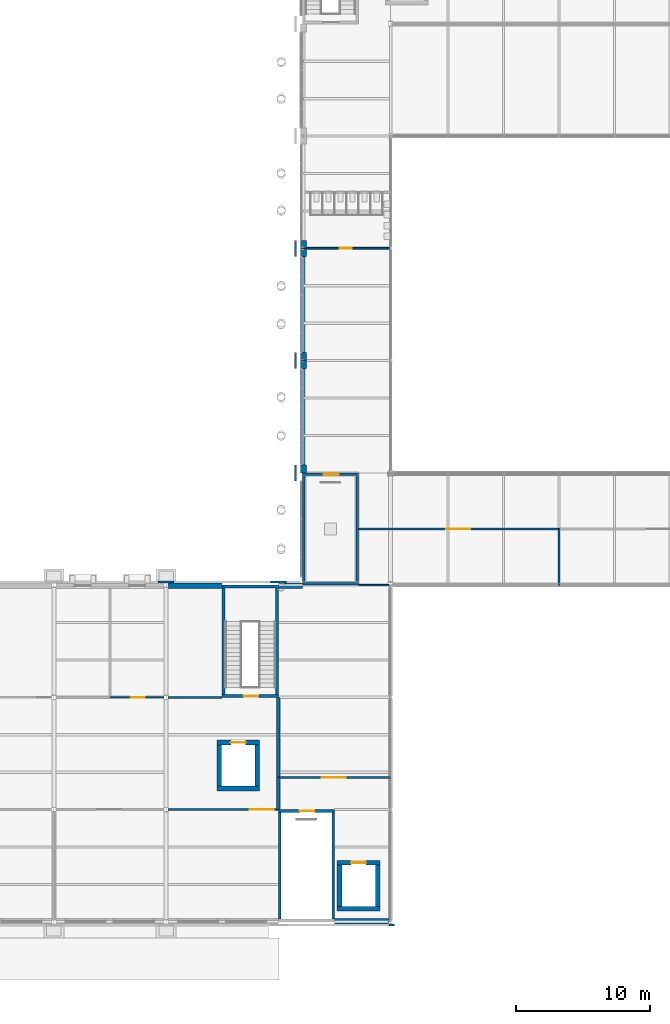
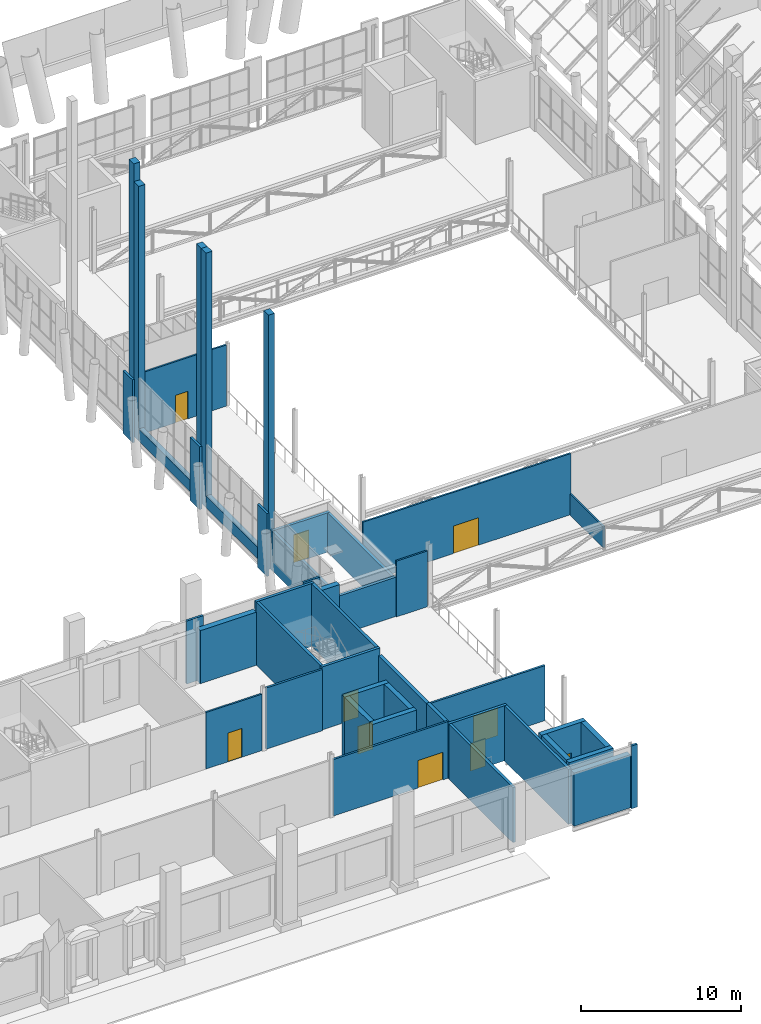
# One storey, part 49 of 76: 45 walls, 10 doors, 10 openings.
"""IFC4 building model written with IfcOpenShell, lengths in metres."""

from ifc_helpers import new_model, si_unit, direction, frame, frame_2d, origin, place, context, subcontext, project, spatial, rectangle, extrude, material, layer, layer_set, type_object, element, fill, save


model = new_model("IFC4")

# Units and contexts
model_context = context("Model", 3, precision=1e-05, world=origin(), true_north=direction((0.0, 1.0)))
body_context = subcontext(model_context, "Body", "Model", "MODEL_VIEW")
ifc_project = project(units=[si_unit("LENGTHUNIT", "METRE"), si_unit("AREAUNIT", "SQUARE_METRE"), si_unit("VOLUMEUNIT", "CUBIC_METRE"), si_unit("PLANEANGLEUNIT", "RADIAN"), si_unit("MASSUNIT", "GRAM", prefix="KILO")], contexts=[model_context])

# Site, building, storey
site_placement = place(None, origin())
site = spatial("IfcSite", under=ifc_project, at=site_placement, CompositionType="ELEMENT")
building_placement = place(site_placement, origin())
building = spatial("IfcBuilding", under=site, at=building_placement, Name="Sava Quay Ferry Terminal", CompositionType="ELEMENT")
storey_placement = place(building_placement, frame((0.0, 0.0, 6.0)))
storey = spatial("IfcBuildingStorey", under=building, at=storey_placement, Name="L01", CompositionType="ELEMENT", Elevation=6.0)

# Walls
ifc_material_1 = material(Name="Concrete C30/37", Category="concrete")
ifc_layer_1 = layer(ifc_material_1, 0.25)
ifc_layer_set_1 = layer_set([ifc_layer_1], Name="Concrete C30/37")
wall_type_1 = type_object("IfcWallType", Name="Compartment wall, reinforced concrete 250", PredefinedType="PARTITIONING", material=ifc_layer_set_1)
wall_1_placement = place(storey_placement, frame((42.0, 33.60009765625, 0.0), z_axis=(0.0, 0.0, 1.0), x_axis=(0.0, 1.0, 0.0)))
element("IfcWall", 1, at=wall_1_placement, inside=storey, type_object=wall_type_1, Name="Compartment wall, reinforced concrete 250", PredefinedType="PARTITIONING", context=body_context, shape_type="SweptSolid", body=[
    extrude(rectangle(XDim=2.39990234375, YDim=0.25, at=frame_2d((1.199951171875, 0.0))), origin(), (0.0, 0.0, 1.0), 4.260009765625),
])
wall_2_placement = place(storey_placement, frame((42.0, 36.0, 0.0), z_axis=(0.0, 0.0, 1.0), x_axis=(0.0, 1.0, 0.0)))
element("IfcWall", 2, at=wall_2_placement, inside=storey, type_object=wall_type_1, Name="Compartment wall, reinforced concrete 250", PredefinedType="PARTITIONING", context=body_context, shape_type="SweptSolid", body=[
    extrude(rectangle(XDim=6.0, YDim=0.25, at=frame_2d((3.0, 0.0))), origin(), (0.0, 0.0, 1.0), 4.25),
])
ifc_material_2 = material(Name="Limestone Mutalj", Category="masonry")
ifc_layer_2 = layer(ifc_material_2, 0.35009765625)
ifc_layer_set_2 = layer_set([ifc_layer_2], Name="Limestone Mutalj")
wall_type_2 = type_object("IfcWallType", Name="Limestone kerb and parapet 350", PredefinedType="SOLIDWALL", material=ifc_layer_set_2)
wall_3_placement = place(storey_placement, frame((43.824951171875, 59.39990234375, 0.0), z_axis=(0.0, 0.0, 1.0), x_axis=(0.0, 1.0, 0.0)))
element("IfcWall", 3, at=wall_3_placement, inside=storey, type_object=wall_type_2, Name="External wall D", PredefinedType="SOLIDWALL", context=body_context, shape_type="SweptSolid", body=[
    extrude(rectangle(XDim=7.2001953125, YDim=0.35009765625, at=frame_2d((3.60009765625, 0.0))), origin(), (0.0, 0.0, 1.0), 0.89990234375),
])
wall_4_placement = place(storey_placement, frame((43.824951171875, 67.800048828125, 0.0), z_axis=(0.0, 0.0, 1.0), x_axis=(0.0, 1.0, 0.0)))
element("IfcWall", 4, at=wall_4_placement, inside=storey, type_object=wall_type_2, Name="External wall D", PredefinedType="SOLIDWALL", context=body_context, shape_type="SweptSolid", body=[
    extrude(rectangle(XDim=7.199951171875, YDim=0.35009765625, at=frame_2d((3.60009765625, 0.0))), origin(), (0.0, 0.0, 1.0), 0.89990234375),
])
ifc_material_3 = material(Name="Limestone Mutalj", Category="masonry")
ifc_layer_3 = layer(ifc_material_3, 0.14990234375)
ifc_layer_set_3 = layer_set([ifc_layer_3], Name="Limestone Mutalj")
wall_type_3 = type_object("IfcWallType", Name="Pier cladding 150", PredefinedType="SOLIDWALL", material=ifc_layer_set_3)
wall_5_placement = place(storey_placement, frame((50.27001953125, 24.965087890625, 0.0), z_axis=(0.0, 0.0, 1.0), x_axis=(1.0, 0.0, 0.0)))
element("IfcWall", 5, at=wall_5_placement, inside=storey, type_object=wall_type_3, Name="Pier W-S grid 50.4", PredefinedType="SOLIDWALL", context=body_context, shape_type="SweptSolid", body=[
    extrude(rectangle(XDim=0.409912109375, YDim=0.14990234375, at=frame_2d((0.205078125, 0.0))), origin(), (0.0, 0.0, 1.0), 4.800048828125),
])
wall_6_placement = place(storey_placement, frame((33.0, 50.635009765625, 0.0), z_axis=(0.0, 0.0, 1.0), x_axis=(1.0, 0.0, 0.0)))
element("IfcWall", 6, at=wall_6_placement, inside=storey, type_object=wall_type_3, Name="Pier W-N grid 33.6", PredefinedType="SOLIDWALL", context=body_context, shape_type="SweptSolid", body=[
    extrude(rectangle(XDim=1.199951171875, YDim=0.14990234375, at=frame_2d((0.60009765625, 0.0))), origin(), (0.0, 0.0, 1.0), 4.800048828125),
])
wall_7_placement = place(storey_placement, frame((41.39990234375, 50.635009765625, 0.0), z_axis=(0.0, 0.0, 1.0), x_axis=(1.0, 0.0, 0.0)))
element("IfcWall", 7, at=wall_7_placement, inside=storey, type_object=wall_type_3, Name="Pier W-N grid 42", PredefinedType="SOLIDWALL", context=body_context, shape_type="SweptSolid", body=[
    extrude(rectangle(XDim=1.2001953125, YDim=0.14990234375, at=frame_2d((0.60009765625, 0.0))), origin(), (0.0, 0.0, 1.0), 4.800048828125),
])
for number, where, z_axis, x_axis, name in (
    (8, (43.27490234375, 58.199951171875, 0.0), (0.0, 0.0, 1.0), (0.0, 1.0, 0.0), "External wall D"),
    (9, (43.27490234375, 66.60009765625, 0.0), (0.0, 0.0, 1.0), (0.0, 1.0, 0.0), "External wall D"),
    (10, (43.27490234375, 75.0, 0.0), (0.0, 0.0, 1.0), (0.0, 1.0, 0.0), "External wall D"),
):
    element("IfcWall", number, at=place(storey_placement, frame(where, z_axis=z_axis, x_axis=x_axis)), inside=storey, type_object=wall_type_3, Name=name, PredefinedType="SOLIDWALL", context=body_context, shape_type="SweptSolid", body=[
        extrude(rectangle(XDim=1.199951171875, YDim=0.14990234375, at=frame_2d((0.60009765625, 0.0))), origin(), (0.0, 0.0, 1.0), 4.800048828125),
    ])

# Wall, opening, door
ifc_material_4 = material(Name="Masonry blockwork", Category="masonry")
ifc_layer_4 = layer(ifc_material_4, 0.14990234375)
ifc_layer_set_4 = layer_set([ifc_layer_4], Name="Masonry blockwork")
wall_type_4 = type_object("IfcWallType", Name="Plant, store and lobby wall, blockwork 150", PredefinedType="PARTITIONING", material=ifc_layer_set_4)
wall_8_placement = place(storey_placement, frame((42.0, 36.0, 0.0), z_axis=(0.0, 0.0, 1.0), x_axis=(1.0, 0.0, 0.0)))
wall_8 = element("IfcWall", 11, at=wall_8_placement, inside=storey, type_object=wall_type_4, Name="Plant, store and lobby wall, blockwork 150", PredefinedType="PARTITIONING", context=body_context, shape_type="SweptSolid", body=[
    extrude(rectangle(XDim=8.39990234375, YDim=0.14990234375, at=frame_2d((4.199951171875, 0.0))), origin(), (0.0, 0.0, 1.0), 4.199951171875),
])
opening_1_placement = place(wall_8_placement, frame((3.25, 0.0, 0.0)))
opening_1 = element("IfcOpeningElement", 12, at=opening_1_placement, cuts=wall_8, Name="Opening D0101", PredefinedType="OPENING", context=body_context, shape_type="SweptSolid", body=[
    extrude(rectangle(XDim=1.800048828125, YDim=2.10009765625, at=frame_2d((0.89990234375, 1.050048828125))), frame((0.0, 0.074951171875, 0.0), z_axis=(0.0, -1.0, 0.0), x_axis=(1.0, 0.0, 0.0)), (0.0, 0.0, 1.0), 0.14990234375),
])
ifc_material_5 = material(Name="Timber door set", Category="wood")
door_type_1 = type_object("IfcDoorType", Name="Double door 1800 x 2100", OperationType="NOTDEFINED", PredefinedType="DOOR", material=ifc_material_5)
door_1_placement = place(opening_1_placement, origin())
door_1 = element("IfcDoor", 13, at=door_1_placement, inside=storey, type_object=door_type_1, Name="Door D0101", OperationType="DOUBLE_DOOR_DOUBLE_SWING", OverallHeight=2.10009765625, OverallWidth=1.800048828125, PredefinedType="DOOR", context=body_context, shape_type="SweptSolid", body=[
    extrude(rectangle(XDim=1.800048828125, YDim=2.10009765625, at=frame_2d((0.89990234375, 1.050048828125))), frame((0.0, 0.02490234375, 0.0), z_axis=(0.0, -1.0, 0.0), x_axis=(1.0, 0.0, 0.0)), (0.0, 0.0, 1.0), 0.050048828125),
])
fill(opening_1, door_1)

wall_9_placement = place(storey_placement, frame((33.75, 33.60009765625, 0.0), z_axis=(0.0, 0.0, 1.0), x_axis=(1.0, 0.0, 0.0)))
wall_9 = element("IfcWall", 14, at=wall_9_placement, inside=storey, type_object=wall_type_4, Name="Plant, store and lobby wall, blockwork 150", PredefinedType="PARTITIONING", context=body_context, shape_type="SweptSolid", body=[
    extrude(rectangle(XDim=8.25, YDim=0.14990234375, at=frame_2d((4.125, 0.0))), origin(), (0.0, 0.0, 1.0), 4.31005859375),
])
opening_2_placement = place(wall_9_placement, frame((6.10009765625, 0.0, 0.0)))
opening_2 = element("IfcOpeningElement", 15, at=opening_2_placement, cuts=wall_9, Name="Opening D0106", PredefinedType="OPENING", context=body_context, shape_type="SweptSolid", body=[
    extrude(rectangle(XDim=1.800048828125, YDim=2.10009765625, at=frame_2d((0.89990234375, 1.050048828125))), frame((0.0, 0.074951171875, 0.0), z_axis=(0.0, -1.0, 0.0), x_axis=(1.0, 0.0, 0.0)), (0.0, 0.0, 1.0), 0.14990234375),
])
door_2_placement = place(opening_2_placement, origin())
door_2 = element("IfcDoor", 16, at=door_2_placement, inside=storey, type_object=door_type_1, Name="Door D0106", OperationType="DOUBLE_DOOR_DOUBLE_SWING", OverallHeight=2.10009765625, OverallWidth=1.800048828125, PredefinedType="DOOR", context=body_context, shape_type="SweptSolid", body=[
    extrude(rectangle(XDim=1.800048828125, YDim=2.10009765625, at=frame_2d((0.89990234375, 1.050048828125))), frame((0.0, 0.02490234375, 0.0), z_axis=(0.0, -1.0, 0.0), x_axis=(1.0, 0.0, 0.0)), (0.0, 0.0, 1.0), 0.050048828125),
])
fill(opening_2, door_2)

# Wall
wall_10_placement = place(storey_placement, frame((33.75, 42.0, 0.0), z_axis=(0.0, 0.0, 1.0), x_axis=(1.0, 0.0, 0.0)))
element("IfcWall", 17, at=wall_10_placement, inside=storey, type_object=wall_type_4, Name="Plant, store and lobby wall, blockwork 150", PredefinedType="PARTITIONING", context=body_context, shape_type="SweptSolid", body=[
    extrude(rectangle(XDim=4.050048828125, YDim=0.14990234375, at=frame_2d((2.02490234375, 0.0))), origin(), (0.0, 0.0, 1.0), 4.669921875),
])

# Wall, opening, door
ifc_material_6 = material(Name="Concrete C35/45", Category="concrete")
ifc_layer_5 = layer(ifc_material_6, 0.199951171875)
ifc_layer_set_5 = layer_set([ifc_layer_5], Name="Concrete C35/45")
wall_type_5 = type_object("IfcWallType", Name="RC core wall 200", PredefinedType="SHEAR", material=ifc_layer_set_5)
wall_11_placement = place(storey_placement, frame((42.0, 33.5, 0.0), z_axis=(0.0, 0.0, 1.0), x_axis=(1.0, 0.0, 0.0)))
wall_11 = element("IfcWall", 18, at=wall_11_placement, inside=storey, type_object=wall_type_5, Name="Core wall ST-A1 N L01", PredefinedType="SHEAR", context=body_context, shape_type="SweptSolid", body=[
    extrude(rectangle(XDim=4.199951171875, YDim=0.199951171875, at=frame_2d((2.10009765625, 0.0))), origin(), (0.0, 0.0, 1.0), 4.199951171875),
])
opening_3_placement = place(wall_11_placement, frame((1.60009765625, 0.0, 0.0)))
opening_3 = element("IfcOpeningElement", 19, at=opening_3_placement, cuts=wall_11, Name="Opening DS0101", PredefinedType="OPENING", context=body_context, shape_type="SweptSolid", body=[
    extrude(rectangle(XDim=1.10009765625, YDim=2.10009765625, at=frame_2d((0.550048828125, 1.050048828125))), frame((0.0, 0.10009765625, 0.0), z_axis=(0.0, -1.0, 0.0), x_axis=(1.0, 0.0, 0.0)), (0.0, 0.0, 1.0), 0.199951171875),
])
ifc_material_7 = material(Name="Steel fire door set", Category="steel")
door_type_2 = type_object("IfcDoorType", Name="Stair fire door 1100 x 2100", OperationType="NOTDEFINED", PredefinedType="DOOR", material=ifc_material_7)
door_3_placement = place(opening_3_placement, origin())
door_3 = element("IfcDoor", 20, at=door_3_placement, inside=storey, type_object=door_type_2, Name="Door DS0101", OperationType="SINGLE_SWING_RIGHT", OverallHeight=2.10009765625, OverallWidth=1.10009765625, PredefinedType="DOOR", context=body_context, shape_type="SweptSolid", body=[
    extrude(rectangle(XDim=1.10009765625, YDim=2.10009765625, at=frame_2d((0.550048828125, 1.050048828125))), frame((0.0, 0.02490234375, 0.0), z_axis=(0.0, -1.0, 0.0), x_axis=(1.0, 0.0, 0.0)), (0.0, 0.0, 1.0), 0.050048828125),
])
fill(opening_3, door_3)

# Walls
for number, where, z_axis, x_axis, name in (
    (21, (42.10009765625, 25.39990234375, 0.0), (0.0, 0.0, 1.0), (0.0, 1.0, 0.0), "Core wall ST-A1 W L01"),
    (22, (46.10009765625, 25.39990234375, 0.0), (0.0, 0.0, 1.0), (0.0, 1.0, 0.0), "Core wall ST-A1 E L01"),
):
    element("IfcWall", number, at=place(storey_placement, frame(where, z_axis=z_axis, x_axis=x_axis)), inside=storey, type_object=wall_type_5, Name=name, PredefinedType="SHEAR", context=body_context, shape_type="SweptSolid", body=[
        extrude(rectangle(XDim=8.0, YDim=0.199951171875, at=frame_2d((4.0, 0.0))), origin(), (0.0, 0.0, 1.0), 4.199951171875),
    ])
wall_12_placement = place(storey_placement, frame((43.800048828125, 50.5, 0.0), z_axis=(0.0, 0.0, 1.0), x_axis=(1.0, 0.0, 0.0)))
element("IfcWall", 23, at=wall_12_placement, inside=storey, type_object=wall_type_5, Name="Core wall ST-D1 S L01", PredefinedType="SHEAR", context=body_context, shape_type="SweptSolid", body=[
    extrude(rectangle(XDim=4.199951171875, YDim=0.199951171875, at=frame_2d((2.10009765625, 0.0))), origin(), (0.0, 0.0, 1.0), 3.0),
])

# Wall, opening, door
wall_13_placement = place(storey_placement, frame((43.800048828125, 58.699951171875, 0.0), z_axis=(0.0, 0.0, 1.0), x_axis=(1.0, 0.0, 0.0)))
wall_13 = element("IfcWall", 24, at=wall_13_placement, inside=storey, type_object=wall_type_5, Name="Core wall ST-D1 N L01", PredefinedType="SHEAR", context=body_context, shape_type="SweptSolid", body=[
    extrude(rectangle(XDim=4.199951171875, YDim=0.199951171875, at=frame_2d((2.10009765625, 0.0))), origin(), (0.0, 0.0, 1.0), 3.0),
])
opening_4_placement = place(wall_13_placement, frame((1.60009765625, 0.0, 0.0)))
opening_4 = element("IfcOpeningElement", 25, at=opening_4_placement, cuts=wall_13, Name="Opening DS0106", PredefinedType="OPENING", context=body_context, shape_type="SweptSolid", body=[
    extrude(rectangle(XDim=1.10009765625, YDim=2.10009765625, at=frame_2d((0.550048828125, 1.050048828125))), frame((0.0, 0.10009765625, 0.0), z_axis=(0.0, -1.0, 0.0), x_axis=(1.0, 0.0, 0.0)), (0.0, 0.0, 1.0), 0.199951171875),
])
door_4_placement = place(opening_4_placement, origin())
door_4 = element("IfcDoor", 26, at=door_4_placement, inside=storey, type_object=door_type_2, Name="Door DS0106", OperationType="SINGLE_SWING_RIGHT", OverallHeight=2.10009765625, OverallWidth=1.10009765625, PredefinedType="DOOR", context=body_context, shape_type="SweptSolid", body=[
    extrude(rectangle(XDim=1.10009765625, YDim=2.10009765625, at=frame_2d((0.550048828125, 1.050048828125))), frame((0.0, 0.02490234375, 0.0), z_axis=(0.0, -1.0, 0.0), x_axis=(1.0, 0.0, 0.0)), (0.0, 0.0, 1.0), 0.050048828125),
])
fill(opening_4, door_4)

# Walls
for number, where, z_axis, x_axis, name in (
    (27, (43.89990234375, 50.60009765625, 0.0), (0.0, 0.0, 1.0), (0.0, 1.0, 0.0), "Core wall ST-D1 W L01"),
    (28, (47.89990234375, 50.60009765625, 0.0), (0.0, 0.0, 1.0), (0.0, 1.0, 0.0), "Core wall ST-D1 E L01"),
):
    element("IfcWall", number, at=place(storey_placement, frame(where, z_axis=z_axis, x_axis=x_axis)), inside=storey, type_object=wall_type_5, Name=name, PredefinedType="SHEAR", context=body_context, shape_type="SweptSolid", body=[
        extrude(rectangle(XDim=8.0, YDim=0.199951171875, at=frame_2d((4.0, 0.0))), origin(), (0.0, 0.0, 1.0), 3.0),
    ])

# Wall, opening, door
wall_14_placement = place(storey_placement, frame((37.800048828125, 42.10009765625, 0.0), z_axis=(0.0, 0.0, 1.0), x_axis=(1.0, 0.0, 0.0)))
wall_14 = element("IfcWall", 29, at=wall_14_placement, inside=storey, type_object=wall_type_5, Name="Core wall ST-W2 S L01", PredefinedType="SHEAR", context=body_context, shape_type="SweptSolid", body=[
    extrude(rectangle(XDim=4.199951171875, YDim=0.199951171875, at=frame_2d((2.10009765625, 0.0))), origin(), (0.0, 0.0, 1.0), 4.800048828125),
])
opening_5_placement = place(wall_14_placement, frame((1.60009765625, 0.0, 0.0)))
opening_5 = element("IfcOpeningElement", 30, at=opening_5_placement, cuts=wall_14, Name="Opening DS0105", PredefinedType="OPENING", context=body_context, shape_type="SweptSolid", body=[
    extrude(rectangle(XDim=1.10009765625, YDim=2.10009765625, at=frame_2d((0.550048828125, 1.050048828125))), frame((0.0, 0.10009765625, 0.0), z_axis=(0.0, -1.0, 0.0), x_axis=(1.0, 0.0, 0.0)), (0.0, 0.0, 1.0), 0.199951171875),
])
door_5_placement = place(opening_5_placement, origin())
door_5 = element("IfcDoor", 31, at=door_5_placement, inside=storey, type_object=door_type_2, Name="Door DS0105", OperationType="SINGLE_SWING_RIGHT", OverallHeight=2.10009765625, OverallWidth=1.10009765625, PredefinedType="DOOR", context=body_context, shape_type="SweptSolid", body=[
    extrude(rectangle(XDim=1.10009765625, YDim=2.10009765625, at=frame_2d((0.550048828125, 1.050048828125))), frame((0.0, 0.02490234375, 0.0), z_axis=(0.0, -1.0, 0.0), x_axis=(1.0, 0.0, 0.0)), (0.0, 0.0, 1.0), 0.050048828125),
])
fill(opening_5, door_5)

# Walls
wall_15_placement = place(storey_placement, frame((37.800048828125, 50.300048828125, 0.0), z_axis=(0.0, 0.0, 1.0), x_axis=(1.0, 0.0, 0.0)))
element("IfcWall", 32, at=wall_15_placement, inside=storey, type_object=wall_type_5, Name="Core wall ST-W2 N L01", PredefinedType="SHEAR", context=body_context, shape_type="SweptSolid", body=[
    extrude(rectangle(XDim=4.199951171875, YDim=0.199951171875, at=frame_2d((2.10009765625, 0.0))), origin(), (0.0, 0.0, 1.0), 4.800048828125),
])
for number, where, z_axis, x_axis, name in (
    (33, (37.89990234375, 42.199951171875, 0.0), (0.0, 0.0, 1.0), (0.0, 1.0, 0.0), "Core wall ST-W2 W L01"),
    (34, (41.89990234375, 42.199951171875, 0.0), (0.0, 0.0, 1.0), (0.0, 1.0, 0.0), "Core wall ST-W2 E L01"),
):
    element("IfcWall", number, at=place(storey_placement, frame(where, z_axis=z_axis, x_axis=x_axis)), inside=storey, type_object=wall_type_5, Name=name, PredefinedType="SHEAR", context=body_context, shape_type="SweptSolid", body=[
        extrude(rectangle(XDim=8.0, YDim=0.199951171875, at=frame_2d((4.0, 0.0))), origin(), (0.0, 0.0, 1.0), 4.800048828125),
    ])
ifc_material_8 = material(Name="Concrete C35/45", Category="concrete")
ifc_layer_6 = layer(ifc_material_8, 0.35009765625)
ifc_layer_set_6 = layer_set([ifc_layer_6], Name="Concrete C35/45")
wall_type_6 = type_object("IfcWallType", Name="RC core wall 350", PredefinedType="SHEAR", material=ifc_layer_set_6)
wall_16_placement = place(storey_placement, frame((46.39990234375, 26.175048828125, 0.0), z_axis=(0.0, 0.0, 1.0), x_axis=(1.0, 0.0, 0.0)))
element("IfcWall", 35, at=wall_16_placement, inside=storey, type_object=wall_type_6, Name="Core wall LF-A1 S L01", PredefinedType="SHEAR", context=body_context, shape_type="SweptSolid", body=[
    extrude(rectangle(XDim=3.2001953125, YDim=0.35009765625, at=frame_2d((1.60009765625, 0.0))), origin(), (0.0, 0.0, 1.0), 4.199951171875),
])

# Wall, opening, door
wall_17_placement = place(storey_placement, frame((46.39990234375, 29.625, 0.0), z_axis=(0.0, 0.0, 1.0), x_axis=(1.0, 0.0, 0.0)))
wall_17 = element("IfcWall", 36, at=wall_17_placement, inside=storey, type_object=wall_type_6, Name="Core wall LF-A1 N L01", PredefinedType="SHEAR", context=body_context, shape_type="SweptSolid", body=[
    extrude(rectangle(XDim=3.2001953125, YDim=0.35009765625, at=frame_2d((1.60009765625, 0.0))), origin(), (0.0, 0.0, 1.0), 4.199951171875),
])
opening_6_placement = place(wall_17_placement, frame((1.050048828125, 0.0, 0.0)))
opening_6 = element("IfcOpeningElement", 37, at=opening_6_placement, cuts=wall_17, Name="Opening LD0101", PredefinedType="OPENING", context=body_context, shape_type="SweptSolid", body=[
    extrude(rectangle(XDim=1.10009765625, YDim=2.10009765625, at=frame_2d((0.550048828125, 1.050048828125))), frame((0.0, 0.175048828125, 0.0), z_axis=(0.0, -1.0, 0.0), x_axis=(1.0, 0.0, 0.0)), (0.0, 0.0, 1.0), 0.35009765625),
])
ifc_material_9 = material(Name="Stainless steel", Category="steel")
door_type_3 = type_object("IfcDoorType", Name="Lift landing door 1100 x 2100", OperationType="NOTDEFINED", PredefinedType="DOOR", material=ifc_material_9)
door_6_placement = place(opening_6_placement, origin())
door_6 = element("IfcDoor", 38, at=door_6_placement, inside=storey, type_object=door_type_3, Name="Door LD0101", OperationType="SLIDING_TO_LEFT", OverallHeight=2.10009765625, OverallWidth=1.10009765625, PredefinedType="DOOR", context=body_context, shape_type="SweptSolid", body=[
    extrude(rectangle(XDim=1.10009765625, YDim=2.10009765625, at=frame_2d((0.550048828125, 1.050048828125))), frame((0.0, 0.02490234375, 0.0), z_axis=(0.0, -1.0, 0.0), x_axis=(1.0, 0.0, 0.0)), (0.0, 0.0, 1.0), 0.050048828125),
])
fill(opening_6, door_6)

# Walls
for number, where, z_axis, x_axis, name in (
    (39, (46.574951171875, 26.35009765625, 0.0), (0.0, 0.0, 1.0), (0.0, 1.0, 0.0), "Core wall LF-A1 W L01"),
    (40, (49.425048828125, 26.35009765625, 0.0), (0.0, 0.0, 1.0), (0.0, 1.0, 0.0), "Core wall LF-A1 E L01"),
):
    element("IfcWall", number, at=place(storey_placement, frame(where, z_axis=z_axis, x_axis=x_axis)), inside=storey, type_object=wall_type_6, Name=name, PredefinedType="SHEAR", context=body_context, shape_type="SweptSolid", body=[
        extrude(rectangle(XDim=3.099853515625, YDim=0.35009765625, at=frame_2d((1.5498046875, 0.0))), origin(), (0.0, 0.0, 1.0), 4.199951171875),
    ])
wall_18_placement = place(storey_placement, frame((37.39990234375, 35.175048828125, 0.0), z_axis=(0.0, 0.0, 1.0), x_axis=(1.0, 0.0, 0.0)))
element("IfcWall", 41, at=wall_18_placement, inside=storey, type_object=wall_type_6, Name="Core wall LF-W2 S L01", PredefinedType="SHEAR", context=body_context, shape_type="SweptSolid", body=[
    extrude(rectangle(XDim=3.2001953125, YDim=0.35009765625, at=frame_2d((1.60009765625, 0.0))), origin(), (0.0, 0.0, 1.0), 4.800048828125),
])

# Wall, opening, door
wall_19_placement = place(storey_placement, frame((37.39990234375, 38.625, 0.0), z_axis=(0.0, 0.0, 1.0), x_axis=(1.0, 0.0, 0.0)))
wall_19 = element("IfcWall", 42, at=wall_19_placement, inside=storey, type_object=wall_type_6, Name="Core wall LF-W2 N L01", PredefinedType="SHEAR", context=body_context, shape_type="SweptSolid", body=[
    extrude(rectangle(XDim=3.2001953125, YDim=0.35009765625, at=frame_2d((1.60009765625, 0.0))), origin(), (0.0, 0.0, 1.0), 4.800048828125),
])
opening_7_placement = place(wall_19_placement, frame((1.050048828125, 0.0, 0.0)))
opening_7 = element("IfcOpeningElement", 43, at=opening_7_placement, cuts=wall_19, Name="Opening LD0104", PredefinedType="OPENING", context=body_context, shape_type="SweptSolid", body=[
    extrude(rectangle(XDim=1.10009765625, YDim=2.10009765625, at=frame_2d((0.550048828125, 1.050048828125))), frame((0.0, 0.175048828125, 0.0), z_axis=(0.0, -1.0, 0.0), x_axis=(1.0, 0.0, 0.0)), (0.0, 0.0, 1.0), 0.35009765625),
])
door_7_placement = place(opening_7_placement, origin())
door_7 = element("IfcDoor", 44, at=door_7_placement, inside=storey, type_object=door_type_3, Name="Door LD0104", OperationType="SLIDING_TO_RIGHT", OverallHeight=2.10009765625, OverallWidth=1.10009765625, PredefinedType="DOOR", context=body_context, shape_type="SweptSolid", body=[
    extrude(rectangle(XDim=1.10009765625, YDim=2.10009765625, at=frame_2d((0.550048828125, 1.050048828125))), frame((0.0, 0.02490234375, 0.0), z_axis=(0.0, -1.0, 0.0), x_axis=(1.0, 0.0, 0.0)), (0.0, 0.0, 1.0), 0.050048828125),
])
fill(opening_7, door_7)

# Walls
for number, where, z_axis, x_axis, name in (
    (45, (37.574951171875, 35.35009765625, 0.0), (0.0, 0.0, 1.0), (0.0, 1.0, 0.0), "Core wall LF-W2 W L01"),
    (46, (40.425048828125, 35.35009765625, 0.0), (0.0, 0.0, 1.0), (0.0, 1.0, 0.0), "Core wall LF-W2 E L01"),
):
    element("IfcWall", number, at=place(storey_placement, frame(where, z_axis=z_axis, x_axis=x_axis)), inside=storey, type_object=wall_type_6, Name=name, PredefinedType="SHEAR", context=body_context, shape_type="SweptSolid", body=[
        extrude(rectangle(XDim=3.099853515625, YDim=0.35009765625, at=frame_2d((1.5498046875, 0.0))), origin(), (0.0, 0.0, 1.0), 4.800048828125),
    ])
ifc_material_10 = material(Name="Plasterboard on steel studs", Category="steel")
ifc_layer_7 = layer(ifc_material_10, 0.125)
ifc_layer_set_7 = layer_set([ifc_layer_7], Name="Plasterboard on steel studs")
wall_type_7 = type_object("IfcWallType", Name="Room partition, plasterboard on steel studs 125", PredefinedType="PARTITIONING", material=ifc_layer_set_7)
wall_20_placement = place(storey_placement, frame((48.0, 50.39990234375, 0.0), z_axis=(0.0, 0.0, 1.0), x_axis=(1.0, 0.0, 0.0)))
element("IfcWall", 47, at=wall_20_placement, inside=storey, type_object=wall_type_7, Name="Room partition, plasterboard on steel studs 125", PredefinedType="PARTITIONING", context=body_context, shape_type="SweptSolid", body=[
    extrude(rectangle(XDim=2.25, YDim=0.125, at=frame_2d((1.125, 0.0))), origin(), (0.0, 0.0, 1.0), 4.25),
])

# Wall, opening, door
wall_21_placement = place(storey_placement, frame((29.39990234375, 42.0, 0.0), z_axis=(0.0, 0.0, 1.0), x_axis=(1.0, 0.0, 0.0)))
wall_21 = element("IfcWall", 48, at=wall_21_placement, inside=storey, type_object=wall_type_7, Name="Room partition, plasterboard on steel studs 125", PredefinedType="PARTITIONING", context=body_context, shape_type="SweptSolid", body=[
    extrude(rectangle(XDim=4.050048828125, YDim=0.125, at=frame_2d((2.02490234375, 0.0))), origin(), (0.0, 0.0, 1.0), 4.31005859375),
])
opening_8_placement = place(wall_21_placement, frame((1.60009765625, 0.0, 0.0)))
opening_8 = element("IfcOpeningElement", 49, at=opening_8_placement, cuts=wall_21, Name="Opening D0111", PredefinedType="OPENING", context=body_context, shape_type="SweptSolid", body=[
    extrude(rectangle(XDim=1.0, YDim=2.199951171875, at=frame_2d((0.5, 1.10009765625))), frame((0.0, 0.0625, 0.0), z_axis=(0.0, -1.0, 0.0), x_axis=(1.0, 0.0, 0.0)), (0.0, 0.0, 1.0), 0.125),
])
ifc_material_11 = material(Name="Timber door set", Category="wood")
door_type_4 = type_object("IfcDoorType", Name="Single door 1000 x 2200", OperationType="NOTDEFINED", PredefinedType="DOOR", material=ifc_material_11)
door_8_placement = place(opening_8_placement, origin())
door_8 = element("IfcDoor", 50, at=door_8_placement, inside=storey, type_object=door_type_4, Name="Door D0111", OperationType="SINGLE_SWING_LEFT", OverallHeight=2.199951171875, OverallWidth=1.0, PredefinedType="DOOR", context=body_context, shape_type="SweptSolid", body=[
    extrude(rectangle(XDim=1.0, YDim=2.199951171875, at=frame_2d((0.5, 1.10009765625))), frame((0.0, 0.02490234375, 0.0), z_axis=(0.0, -1.0, 0.0), x_axis=(1.0, 0.0, 0.0)), (0.0, 0.0, 1.0), 0.050048828125),
])
fill(opening_8, door_8)

# Wall
wall_22_placement = place(storey_placement, frame((63.0, 50.39990234375, 0.0), z_axis=(0.0, 0.0, 1.0), x_axis=(0.0, 1.0, 0.0)))
element("IfcWall", 51, at=wall_22_placement, inside=storey, type_object=wall_type_7, Name="Room partition, plasterboard on steel studs 125", PredefinedType="PARTITIONING", context=body_context, shape_type="SweptSolid", body=[
    extrude(rectangle(XDim=4.2001953125, YDim=0.125, at=frame_2d((2.10009765625, 0.0))), origin(), (0.0, 0.0, 1.0), 1.610107421875),
])

# Wall, opening, door
wall_23_placement = place(storey_placement, frame((48.0, 54.60009765625, 0.0), z_axis=(0.0, 0.0, 1.0), x_axis=(1.0, 0.0, 0.0)))
wall_23 = element("IfcWall", 52, at=wall_23_placement, inside=storey, type_object=wall_type_7, Name="Room partition, plasterboard on steel studs 125", PredefinedType="PARTITIONING", context=body_context, shape_type="SweptSolid", body=[
    extrude(rectangle(XDim=15.0, YDim=0.125, at=frame_2d((7.5, 0.0))), origin(), (0.0, 0.0, 1.0), 4.669921875),
])
opening_9_placement = place(wall_23_placement, frame((6.550048828125, 0.0, 0.0)))
opening_9 = element("IfcOpeningElement", 53, at=opening_9_placement, cuts=wall_23, Name="Opening D0117", PredefinedType="OPENING", context=body_context, shape_type="SweptSolid", body=[
    extrude(rectangle(XDim=1.800048828125, YDim=2.10009765625, at=frame_2d((0.89990234375, 1.050048828125))), frame((0.0, 0.0625, 0.0), z_axis=(0.0, -1.0, 0.0), x_axis=(1.0, 0.0, 0.0)), (0.0, 0.0, 1.0), 0.125),
])
door_9_placement = place(opening_9_placement, origin())
door_9 = element("IfcDoor", 54, at=door_9_placement, inside=storey, type_object=door_type_1, Name="Door D0117", OperationType="DOUBLE_DOOR_DOUBLE_SWING", OverallHeight=2.10009765625, OverallWidth=1.800048828125, PredefinedType="DOOR", context=body_context, shape_type="SweptSolid", body=[
    extrude(rectangle(XDim=1.800048828125, YDim=2.10009765625, at=frame_2d((0.89990234375, 1.050048828125))), frame((0.0, 0.02490234375, 0.0), z_axis=(0.0, -1.0, 0.0), x_axis=(1.0, 0.0, 0.0)), (0.0, 0.0, 1.0), 0.050048828125),
])
fill(opening_9, door_9)

# Walls
ifc_material_12 = material(Name="Limestone Mutalj", Category="masonry")
ifc_layer_8 = layer(ifc_material_12, 0.449951171875)
ifc_layer_set_8 = layer_set([ifc_layer_8], Name="Limestone Mutalj")
wall_type_8 = type_object("IfcWallType", Name="Rusticated limestone infill 450", PredefinedType="SOLIDWALL", material=ifc_layer_set_8)
for number, where, z_axis, x_axis, name in (
    (55, (43.875, 58.800048828125, 0.0), (0.0, 0.0, 1.0), (0.0, 1.0, 0.0), "External wall D"),
    (56, (43.875, 66.60009765625, 0.0), (0.0, 0.0, 1.0), (0.0, 1.0, 0.0), "External wall D"),
):
    element("IfcWall", number, at=place(storey_placement, frame(where, z_axis=z_axis, x_axis=x_axis)), inside=storey, type_object=wall_type_8, Name=name, PredefinedType="SOLIDWALL", context=body_context, shape_type="SweptSolid", body=[
        extrude(rectangle(XDim=0.599853515625, YDim=0.449951171875, at=frame_2d((0.2998046875, 0.0))), origin(), (0.0, 0.0, 1.0), 19.39990234375),
    ])
for number, where, z_axis, x_axis, name in (
    (57, (43.875, 67.199951171875, 0.0), (0.0, 0.0, 1.0), (0.0, 1.0, 0.0), "External wall D"),
    (58, (43.875, 75.0, 0.0), (0.0, 0.0, 1.0), (0.0, 1.0, 0.0), "External wall D"),
):
    element("IfcWall", number, at=place(storey_placement, frame(where, z_axis=z_axis, x_axis=x_axis)), inside=storey, type_object=wall_type_8, Name=name, PredefinedType="SOLIDWALL", context=body_context, shape_type="SweptSolid", body=[
        extrude(rectangle(XDim=0.60009765625, YDim=0.449951171875, at=frame_2d((0.300048828125, 0.0))), origin(), (0.0, 0.0, 1.0), 19.39990234375),
    ])
wall_24_placement = place(storey_placement, frame((43.875, 75.60009765625, 0.0), z_axis=(0.0, 0.0, 1.0), x_axis=(0.0, 1.0, 0.0)))
element("IfcWall", 59, at=wall_24_placement, inside=storey, type_object=wall_type_8, Name="External wall D", PredefinedType="SOLIDWALL", context=body_context, shape_type="SweptSolid", body=[
    extrude(rectangle(XDim=0.599853515625, YDim=0.449951171875, at=frame_2d((0.2998046875, 0.0))), origin(), (0.0, 0.0, 1.0), 20.75),
])
ifc_material_13 = material(Name="Sandstone Bela Voda", Category="masonry")
ifc_layer_9 = layer(ifc_material_13, 0.39990234375)
ifc_layer_set_9 = layer_set([ifc_layer_9], Name="Sandstone Bela Voda")
wall_type_9 = type_object("IfcWallType", Name="Sandstone ashlar infill 400", PredefinedType="SOLIDWALL", material=ifc_layer_set_9)
wall_25_placement = place(storey_placement, frame((46.199951171875, 25.239990234375, 0.0), z_axis=(0.0, 0.0, 1.0), x_axis=(1.0, 0.0, 0.0)))
element("IfcWall", 60, at=wall_25_placement, inside=storey, type_object=wall_type_9, Name="External wall W-S", PredefinedType="SOLIDWALL", context=body_context, shape_type="SweptSolid", body=[
    extrude(rectangle(XDim=4.070068359375, YDim=0.39990234375, at=frame_2d((2.03515625, 0.0))), origin(), (0.0, 0.0, 1.0), 4.050048828125),
])
wall_26_placement = place(storey_placement, frame((33.75, 50.360107421875, 0.0), z_axis=(0.0, 0.0, 1.0), x_axis=(1.0, 0.0, 0.0)))
element("IfcWall", 61, at=wall_26_placement, inside=storey, type_object=wall_type_9, Name="External wall W-N", PredefinedType="SOLIDWALL", context=body_context, shape_type="SweptSolid", body=[
    extrude(rectangle(XDim=4.050048828125, YDim=0.39990234375, at=frame_2d((2.02490234375, 0.0))), origin(), (0.0, 0.0, 1.0), 4.050048828125),
])
wall_27_placement = place(storey_placement, frame((42.0, 50.360107421875, 0.0), z_axis=(0.0, 0.0, 1.0), x_axis=(1.0, 0.0, 0.0)))
element("IfcWall", 62, at=wall_27_placement, inside=storey, type_object=wall_type_9, Name="External wall W-N", PredefinedType="SOLIDWALL", context=body_context, shape_type="SweptSolid", body=[
    extrude(rectangle(XDim=1.800048828125, YDim=0.39990234375, at=frame_2d((0.89990234375, 0.0))), origin(), (0.0, 0.0, 1.0), 4.050048828125),
])

# Wall, opening, door
ifc_material_14 = material(Name="Moisture-resistant board on steel studs", Category="steel")
ifc_layer_10 = layer(ifc_material_14, 0.125)
ifc_layer_set_10 = layer_set([ifc_layer_10], Name="Moisture-resistant board on steel studs")
wall_type_10 = type_object("IfcWallType", Name="Toilet partition, moisture-resistant board 125", PredefinedType="PARTITIONING", material=ifc_layer_set_10)
wall_28_placement = place(storey_placement, frame((44.1005859375, 75.60009765625, 0.0), z_axis=(0.0, 0.0, 1.0), x_axis=(1.0, 0.0, 0.0)))
wall_28 = element("IfcWall", 63, at=wall_28_placement, inside=storey, type_object=wall_type_10, Name="Toilet partition, moisture-resistant board 125", PredefinedType="PARTITIONING", context=body_context, shape_type="SweptSolid", body=[
    extrude(rectangle(XDim=6.179443359375, YDim=0.125, at=frame_2d((3.08984375, 0.0))), origin(), (0.0, 0.0, 1.0), 4.669921875),
])
opening_10_placement = place(wall_28_placement, frame((2.49951171875, 0.0, 0.0)))
opening_10 = element("IfcOpeningElement", 64, at=opening_10_placement, cuts=wall_28, Name="Opening D0119", PredefinedType="OPENING", context=body_context, shape_type="SweptSolid", body=[
    extrude(rectangle(XDim=0.89990234375, YDim=2.10009765625, at=frame_2d((0.449951171875, 1.050048828125))), frame((0.0, 0.0625, 0.0), z_axis=(0.0, -1.0, 0.0), x_axis=(1.0, 0.0, 0.0)), (0.0, 0.0, 1.0), 0.125),
])
ifc_material_15 = material(Name="Laminate door set")
door_type_5 = type_object("IfcDoorType", Name="Toilet door 900 x 2100", OperationType="NOTDEFINED", PredefinedType="DOOR", material=ifc_material_15)
door_10_placement = place(opening_10_placement, origin())
door_10 = element("IfcDoor", 65, at=door_10_placement, inside=storey, type_object=door_type_5, Name="Door D0119", OperationType="SINGLE_SWING_LEFT", OverallHeight=2.10009765625, OverallWidth=0.89990234375, PredefinedType="DOOR", context=body_context, shape_type="SweptSolid", body=[
    extrude(rectangle(XDim=0.89990234375, YDim=2.10009765625, at=frame_2d((0.449951171875, 1.050048828125))), frame((0.0, 0.02490234375, 0.0), z_axis=(0.0, -1.0, 0.0), x_axis=(1.0, 0.0, 0.0)), (0.0, 0.0, 1.0), 0.050048828125),
])
fill(opening_10, door_10)

save(model, "model.ifc")
